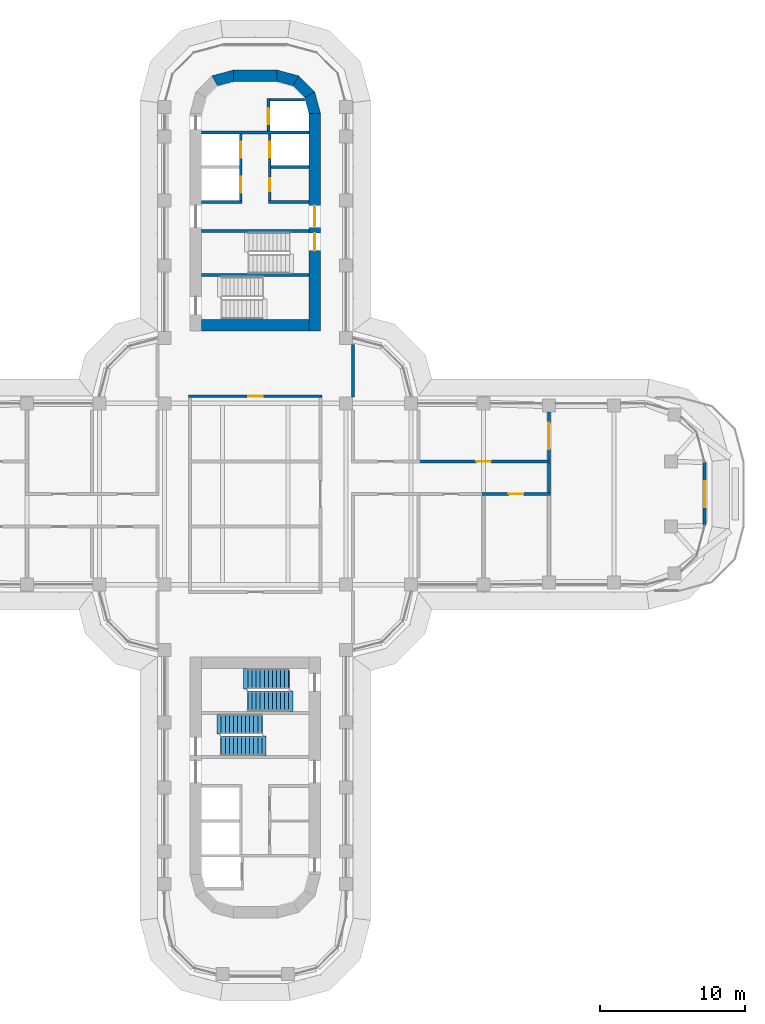
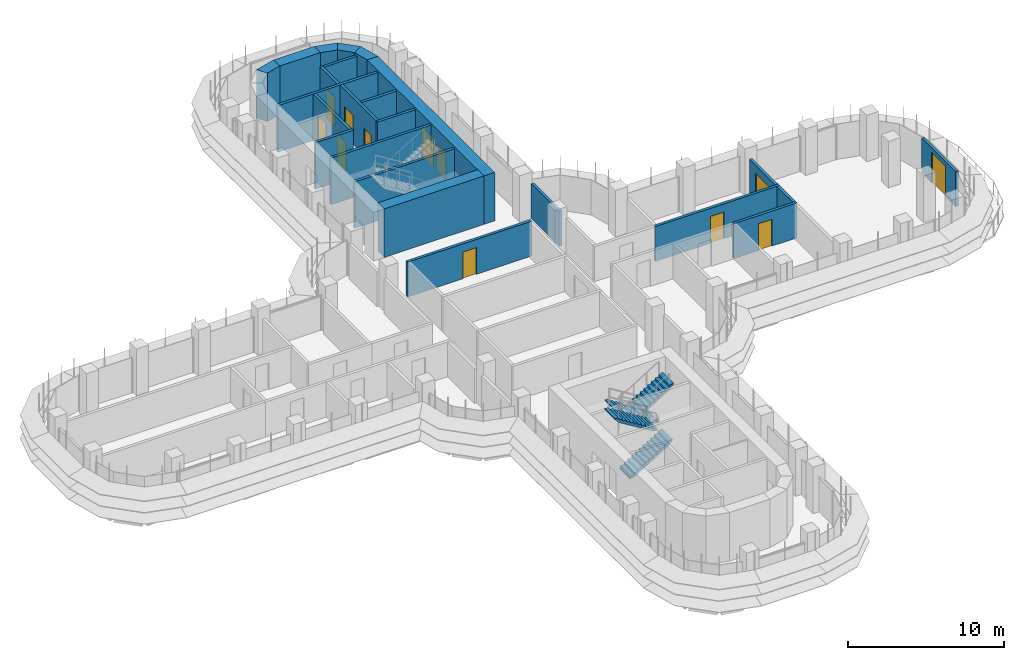
# One storey, part 17 of 22: 24 walls, 12 doors, 4 stair flights, 12 openings, 2 elements without a shape of their own.
"""IFC4 building model written with IfcOpenShell, lengths in metres."""

from ifc_helpers import new_model, si_unit, direction, frame, frame_2d, origin, place, context, subcontext, project, spatial, polyline, rectangle, outline, extrude, material, layer, layer_set, type_object, element, fill, aggregate, save


model = new_model("IFC4")

# Units and contexts
model_context = context("Model", 3, precision=1e-05, world=origin(), true_north=direction((0.0, 1.0)))
body_context = subcontext(model_context, "Body", "Model", "MODEL_VIEW")
ifc_project = project(units=[si_unit("LENGTHUNIT", "METRE"), si_unit("AREAUNIT", "SQUARE_METRE"), si_unit("VOLUMEUNIT", "CUBIC_METRE"), si_unit("PLANEANGLEUNIT", "RADIAN"), si_unit("MASSUNIT", "GRAM", prefix="KILO")], contexts=[model_context])

# Site, building, storey
site_placement = place(None, origin())
site = spatial("IfcSite", under=ifc_project, at=site_placement, CompositionType="ELEMENT")
building_placement = place(site_placement, origin())
building = spatial("IfcBuilding", under=site, at=building_placement, Name="Zarbagh Exchange Tower", CompositionType="ELEMENT")
storey_placement = place(building_placement, frame((0.0, 0.0, 124.60009765625)))
storey = spatial("IfcBuildingStorey", under=building, at=storey_placement, Name="L29", CompositionType="ELEMENT", Elevation=124.60009765625)

# Wall
ifc_material_1 = material(Name="Fire-rated plasterboard partition")
ifc_layer_1 = layer(ifc_material_1, 0.199951171875)
ifc_layer_set_1 = layer_set([ifc_layer_1], Name="RATED PARTITION 200")
wall_type_1 = type_object("IfcWallType", Name="RATED PARTITION 200", PredefinedType="PARTITIONING", material=ifc_layer_set_1)
wall_1_placement = place(storey_placement, frame((6.75, 6.699951171875, 0.0), z_axis=(0.0, 0.0, 1.0), x_axis=(0.0, 1.0, 0.0)))
element("IfcWall", 1, at=wall_1_placement, inside=storey, type_object=wall_type_1, Name="Partition W-1112", PredefinedType="PARTITIONING", context=body_context, shape_type="SweptSolid", body=[
    extrude(rectangle(XDim=3.60009765625, YDim=0.199951171875, at=frame_2d((1.800048828125, 0.0))), origin(), (0.0, 0.0, 1.0), 2.738037109375),
])

# Wall, opening, door
wall_2_placement = place(storey_placement, frame((4.60009765625, 6.75, 0.0), z_axis=(0.0, 0.0, 1.0), x_axis=(-1.0, 0.0, 0.0)))
wall_2 = element("IfcWall", 2, at=wall_2_placement, inside=storey, type_object=wall_type_1, Name="Partition W-1115", PredefinedType="PARTITIONING", context=body_context, shape_type="SweptSolid", body=[
    extrude(rectangle(XDim=9.2001953125, YDim=0.199951171875, at=frame_2d((4.60009765625, 0.0))), origin(), (0.0, 0.0, 1.0), 2.738037109375),
])
opening_1_placement = place(wall_2_placement, frame((4.10009765625, 0.0, 0.0)))
opening_1 = element("IfcOpeningElement", 3, at=opening_1_placement, cuts=wall_2, Name="Opening D-1102", PredefinedType="OPENING", context=body_context, shape_type="SweptSolid", body=[
    extrude(rectangle(XDim=1.0, YDim=2.10009765625, at=frame_2d((0.5, 1.050048828125))), frame((0.0, 0.10986328125, 0.0), z_axis=(0.0, -1.0, 0.0), x_axis=(1.0, 0.0, 0.0)), (0.0, 0.0, 1.0), 0.219970703125),
])
ifc_material_2 = material(Name="Steel door set", Category="steel")
door_type_1 = type_object("IfcDoorType", Name="FIRE DOOR 1000 X 2100 FD30S", OperationType="NOTDEFINED", PredefinedType="DOOR", material=ifc_material_2)
door_1_placement = place(opening_1_placement, origin())
door_1 = element("IfcDoor", 4, at=door_1_placement, inside=storey, type_object=door_type_1, Name="Door D-1102", OperationType="SINGLE_SWING_RIGHT", OverallHeight=2.10009765625, OverallWidth=1.0, PredefinedType="DOOR", context=body_context, shape_type="SweptSolid", body=[
    extrude(rectangle(XDim=1.0, YDim=2.10009765625, at=frame_2d((0.5, 1.050048828125))), frame((0.0, 0.02490234375, 0.0), z_axis=(0.0, -1.0, 0.0), x_axis=(1.0, 0.0, 0.0)), (0.0, 0.0, 1.0), 0.050048828125),
])
fill(opening_1, door_1)

wall_3_placement = place(storey_placement, frame((11.14990234375, 2.25, 0.0), z_axis=(0.0, 0.0, 1.0), x_axis=(1.0, 0.0, 0.0)))
wall_3 = element("IfcWall", 5, at=wall_3_placement, inside=storey, type_object=wall_type_1, Name="Partition W-1121", PredefinedType="PARTITIONING", context=body_context, shape_type="SweptSolid", body=[
    extrude(rectangle(XDim=9.2001953125, YDim=0.199951171875, at=frame_2d((4.60009765625, 0.0))), origin(), (0.0, 0.0, 1.0), 2.738037109375),
])
opening_2_placement = place(wall_3_placement, frame((4.10009765625, 0.0, 0.0)))
opening_2 = element("IfcOpeningElement", 6, at=opening_2_placement, cuts=wall_3, Name="Opening D-1106", PredefinedType="OPENING", context=body_context, shape_type="SweptSolid", body=[
    extrude(rectangle(XDim=1.0, YDim=2.10009765625, at=frame_2d((0.5, 1.050048828125))), frame((0.0, 0.10986328125, 0.0), z_axis=(0.0, -1.0, 0.0), x_axis=(1.0, 0.0, 0.0)), (0.0, 0.0, 1.0), 0.219970703125),
])
door_2_placement = place(opening_2_placement, origin())
door_2 = element("IfcDoor", 7, at=door_2_placement, inside=storey, type_object=door_type_1, Name="Door D-1106", OperationType="SINGLE_SWING_LEFT", OverallHeight=2.10009765625, OverallWidth=1.0, PredefinedType="DOOR", context=body_context, shape_type="SweptSolid", body=[
    extrude(rectangle(XDim=1.0, YDim=2.10009765625, at=frame_2d((0.5, 1.050048828125))), frame((0.0, 0.02490234375, 0.0), z_axis=(0.0, -1.0, 0.0), x_axis=(1.0, 0.0, 0.0)), (0.0, 0.0, 1.0), 0.050048828125),
])
fill(opening_2, door_2)

wall_4_placement = place(storey_placement, frame((20.35009765625, 0.0, 0.0), z_axis=(0.0, 0.0, 1.0), x_axis=(-1.0, 0.0, 0.0)))
wall_4 = element("IfcWall", 8, at=wall_4_placement, inside=storey, type_object=wall_type_1, Name="Partition W-1123", PredefinedType="PARTITIONING", context=body_context, shape_type="SweptSolid", body=[
    extrude(rectangle(XDim=4.7001953125, YDim=0.199951171875, at=frame_2d((2.35009765625, 0.0))), origin(), (0.0, 0.0, 1.0), 2.738037109375),
])
opening_3_placement = place(wall_4_placement, frame((1.85009765625, 0.0, 0.0)))
opening_3 = element("IfcOpeningElement", 9, at=opening_3_placement, cuts=wall_4, Name="Opening D-1109", PredefinedType="OPENING", context=body_context, shape_type="SweptSolid", body=[
    extrude(rectangle(XDim=1.0, YDim=2.10009765625, at=frame_2d((0.5, 1.050048828125))), frame((0.0, 0.10986328125, 0.0), z_axis=(0.0, -1.0, 0.0), x_axis=(1.0, 0.0, 0.0)), (0.0, 0.0, 1.0), 0.219970703125),
])
door_3_placement = place(opening_3_placement, origin())
door_3 = element("IfcDoor", 10, at=door_3_placement, inside=storey, type_object=door_type_1, Name="Door D-1109", OperationType="SINGLE_SWING_RIGHT", OverallHeight=2.10009765625, OverallWidth=1.0, PredefinedType="DOOR", context=body_context, shape_type="SweptSolid", body=[
    extrude(rectangle(XDim=1.0, YDim=2.10009765625, at=frame_2d((0.5, 1.050048828125))), frame((0.0, 0.02490234375, 0.0), z_axis=(0.0, -1.0, 0.0), x_axis=(1.0, 0.0, 0.0)), (0.0, 0.0, 1.0), 0.050048828125),
])
fill(opening_3, door_3)

# Wall
wall_5_placement = place(storey_placement, frame((20.25, 0.10009765625, 0.0), z_axis=(0.0, 0.0, 1.0), x_axis=(0.0, 1.0, 0.0)))
element("IfcWall", 11, at=wall_5_placement, inside=storey, type_object=wall_type_1, Name="Partition W-1124", PredefinedType="PARTITIONING", context=body_context, shape_type="SweptSolid", body=[
    extrude(rectangle(XDim=2.0498046875, YDim=0.199951171875, at=frame_2d((1.02490234375, 0.0))), origin(), (0.0, 0.0, 1.0), 2.738037109375),
])

# Wall, opening, door
wall_6_placement = place(storey_placement, frame((20.25, 5.659912109375, 0.0), z_axis=(0.0, 0.0, 1.0), x_axis=(0.0, -1.0, 0.0)))
wall_6 = element("IfcWall", 12, at=wall_6_placement, inside=storey, type_object=wall_type_1, Name="Partition W-1127", PredefinedType="PARTITIONING", context=body_context, shape_type="SweptSolid", body=[
    extrude(rectangle(XDim=3.309814453125, YDim=0.199951171875, at=frame_2d((1.65478515625, 0.0))), origin(), (0.0, 0.0, 1.0), 2.738037109375),
])
opening_4_placement = place(wall_6_placement, frame((0.7548828125, 0.0, 0.0)))
opening_4 = element("IfcOpeningElement", 13, at=opening_4_placement, cuts=wall_6, Name="Opening D-1104", PredefinedType="OPENING", context=body_context, shape_type="SweptSolid", body=[
    extrude(rectangle(XDim=1.800048828125, YDim=2.10009765625, at=frame_2d((0.89990234375, 1.050048828125))), frame((0.0, 0.10986328125, 0.0), z_axis=(0.0, -1.0, 0.0), x_axis=(1.0, 0.0, 0.0)), (0.0, 0.0, 1.0), 0.219970703125),
])
door_type_2 = type_object("IfcDoorType", Name="FIRE DOUBLE DOOR 1800 X 2100 FD30S", OperationType="DOUBLE_DOOR_SINGLE_SWING", PredefinedType="DOOR", material=ifc_material_2)
door_4_placement = place(opening_4_placement, origin())
door_4 = element("IfcDoor", 14, at=door_4_placement, inside=storey, type_object=door_type_2, Name="Door D-1104", OperationType="DOUBLE_DOOR_SINGLE_SWING", OverallHeight=2.10009765625, OverallWidth=1.800048828125, PredefinedType="DOOR", context=body_context, shape_type="SweptSolid", body=[
    extrude(rectangle(XDim=1.800048828125, YDim=2.10009765625, at=frame_2d((0.89990234375, 1.050048828125))), frame((0.0, 0.02490234375, 0.0), z_axis=(0.0, -1.0, 0.0), x_axis=(1.0, 0.0, 0.0)), (0.0, 0.0, 1.0), 0.050048828125),
])
fill(opening_4, door_4)

# Walls
ifc_material_3 = material(Name="Concrete C60/75", Category="concrete")
ifc_layer_2 = layer(ifc_material_3, 0.800048828125)
ifc_layer_set_2 = layer_set([ifc_layer_2], Name="RC core corner wall 800 C60/75")
wall_type_2 = type_object("IfcWallType", Name="RC core corner wall 800 C60/75", PredefinedType="SHEAR", material=ifc_layer_set_2)
wall_7_placement = place(storey_placement, origin())
element("IfcWall", 15, at=wall_7_placement, inside=storey, type_object=wall_type_2, Name="CW4 core N corner W", PredefinedType="SHEAR", context=body_context, shape_type="SweptSolid", body=[
    extrude(outline(polyline([(-3.0, 28.84814453125), (-1.5, 29.25), (-1.5, 28.449951171875), (-2.60009765625, 28.1552734375), (-3.0, 28.84814453125)])), origin(), (0.0, 0.0, 1.0), 3.7998046875),
])
wall_8_placement = place(storey_placement, origin())
element("IfcWall", 16, at=wall_8_placement, inside=storey, type_object=wall_type_2, Name="CW4 core N corner E", PredefinedType="SHEAR", context=body_context, shape_type="SweptSolid", body=[
    extrude(outline(polyline([(4.5, 26.25), (4.09814453125, 27.75), (3.4052734375, 27.35009765625), (3.699951171875, 26.25), (4.5, 26.25)])), origin(), (0.0, 0.0, 1.0), 3.7998046875),
])
wall_9_placement = place(storey_placement, origin())
element("IfcWall", 17, at=wall_9_placement, inside=storey, type_object=wall_type_2, Name="CW4 core N corner E", PredefinedType="SHEAR", context=body_context, shape_type="SweptSolid", body=[
    extrude(outline(polyline([(4.09814453125, 27.75), (3.0, 28.84814453125), (2.60009765625, 28.1552734375), (3.4052734375, 27.35009765625), (4.09814453125, 27.75)])), origin(), (0.0, 0.0, 1.0), 3.7998046875),
])
wall_10_placement = place(storey_placement, origin())
element("IfcWall", 18, at=wall_10_placement, inside=storey, type_object=wall_type_2, Name="CW4 core N corner E", PredefinedType="SHEAR", context=body_context, shape_type="SweptSolid", body=[
    extrude(outline(polyline([(3.0, 28.84814453125), (1.5, 29.25), (1.5, 28.449951171875), (2.60009765625, 28.1552734375), (3.0, 28.84814453125)])), origin(), (0.0, 0.0, 1.0), 3.7998046875),
])

# Wall, openings, doors
ifc_layer_3 = layer(ifc_material_3, 0.800048828125)
ifc_layer_set_3 = layer_set([ifc_layer_3], Name="RC core wall 800 C60/75")
wall_type_3 = type_object("IfcWallType", Name="RC core wall 800 C60/75", PredefinedType="SHEAR", material=ifc_layer_set_3)
wall_11_placement = place(storey_placement, frame((4.10009765625, 11.25, 0.0), z_axis=(0.0, 0.0, 1.0), x_axis=(0.0, 1.0, 0.0)))
wall_11 = element("IfcWall", 19, at=wall_11_placement, inside=storey, type_object=wall_type_3, Name="CW3 core N E", PredefinedType="SHEAR", context=body_context, shape_type="SweptSolid", body=[
    extrude(rectangle(XDim=15.0, YDim=0.800048828125, at=frame_2d((7.5, 0.0))), origin(), (0.0, 0.0, 1.0), 3.7998046875),
])
opening_5_placement = place(wall_11_placement, frame((7.14990234375, 0.0, 0.0)))
opening_5 = element("IfcOpeningElement", 20, at=opening_5_placement, cuts=wall_11, Name="Opening CD1-1500", PredefinedType="OPENING", context=body_context, shape_type="SweptSolid", body=[
    extrude(rectangle(XDim=1.5, YDim=2.300048828125, at=frame_2d((0.75, 1.14990234375))), frame((0.0, 0.409912109375, 0.0), z_axis=(0.0, -1.0, 0.0), x_axis=(1.0, 0.0, 0.0)), (0.0, 0.0, 1.0), 0.820068359375),
])
opening_6_placement = place(wall_11_placement, frame((5.550048828125, 0.0, 0.0)))
opening_6 = element("IfcOpeningElement", 21, at=opening_6_placement, cuts=wall_11, Name="Opening SD1-1200", PredefinedType="OPENING", context=body_context, shape_type="SweptSolid", body=[
    extrude(rectangle(XDim=1.199951171875, YDim=2.10009765625, at=frame_2d((0.60009765625, 1.050048828125))), frame((0.0, 0.409912109375, 0.0), z_axis=(0.0, -1.0, 0.0), x_axis=(1.0, 0.0, 0.0)), (0.0, 0.0, 1.0), 0.820068359375),
])
ifc_material_4 = material(Name="Steel", Category="steel")
door_type_3 = type_object("IfcDoorType", Name="Exit stair door 1200 x 2100", OperationType="NOTDEFINED", PredefinedType="DOOR", material=ifc_material_4)
door_5_placement = place(opening_6_placement, origin())
door_5 = element("IfcDoor", 22, at=door_5_placement, inside=storey, type_object=door_type_3, Name="North core stair door ST1", OperationType="SINGLE_SWING_RIGHT", OverallHeight=2.10009765625, OverallWidth=1.199951171875, PredefinedType="DOOR", context=body_context, shape_type="SweptSolid", body=[
    extrude(rectangle(XDim=1.199951171875, YDim=2.10009765625, at=frame_2d((0.60009765625, 1.050048828125))), frame((0.0, 0.02490234375, 0.0), z_axis=(0.0, -1.0, 0.0), x_axis=(1.0, 0.0, 0.0)), (0.0, 0.0, 1.0), 0.050048828125),
])
fill(opening_6, door_5)
door_type_4 = type_object("IfcDoorType", Name="Lift lobby double door 1500 x 2300", OperationType="NOTDEFINED", PredefinedType="DOOR", material=ifc_material_4)
door_6_placement = place(opening_5_placement, origin())
door_6 = element("IfcDoor", 23, at=door_6_placement, inside=storey, type_object=door_type_4, Name="North core lift lobby door LOBBY-E", OperationType="DOUBLE_DOOR_SINGLE_SWING", OverallHeight=2.300048828125, OverallWidth=1.5, PredefinedType="DOOR", context=body_context, shape_type="SweptSolid", body=[
    extrude(rectangle(XDim=1.5, YDim=2.300048828125, at=frame_2d((0.75, 1.14990234375))), frame((0.0, 0.02490234375, 0.0), z_axis=(0.0, -1.0, 0.0), x_axis=(1.0, 0.0, 0.0)), (0.0, 0.0, 1.0), 0.050048828125),
])
fill(opening_5, door_6)

# Walls
wall_12_placement = place(storey_placement, frame((-3.699951171875, 11.64990234375, 0.0), z_axis=(0.0, 0.0, 1.0), x_axis=(1.0, 0.0, 0.0)))
element("IfcWall", 24, at=wall_12_placement, inside=storey, type_object=wall_type_3, Name="CW3 core N inner end", PredefinedType="SHEAR", context=body_context, shape_type="SweptSolid", body=[
    extrude(rectangle(XDim=7.39990234375, YDim=0.800048828125, at=frame_2d((3.699951171875, 0.0))), origin(), (0.0, 0.0, 1.0), 3.7998046875),
])
wall_13_placement = place(storey_placement, frame((-1.5, 28.85009765625, 0.0), z_axis=(0.0, 0.0, 1.0), x_axis=(1.0, 0.0, 0.0)))
element("IfcWall", 25, at=wall_13_placement, inside=storey, type_object=wall_type_3, Name="CW3 core N outer end", PredefinedType="SHEAR", context=body_context, shape_type="SweptSolid", body=[
    extrude(rectangle(XDim=3.0, YDim=0.800048828125, at=frame_2d((1.5, 0.0))), origin(), (0.0, 0.0, 1.0), 3.7998046875),
])
ifc_material_5 = material(Name="Dense blockwork", Category="masonry")
ifc_layer_4 = layer(ifc_material_5, 0.199951171875)
ifc_layer_set_4 = layer_set([ifc_layer_4], Name="Shaft wall 200 mm blockwork")
wall_type_4 = type_object("IfcWallType", Name="Shaft wall 200 mm blockwork", PredefinedType="PARTITIONING", material=ifc_layer_set_4)
wall_14_placement = place(storey_placement, frame((-3.699951171875, 20.14990234375, 0.0), z_axis=(0.0, 0.0, 1.0), x_axis=(1.0, 0.0, 0.0)))
element("IfcWall", 26, at=wall_14_placement, inside=storey, type_object=wall_type_4, Name="North core shaft wall AB-W", PredefinedType="PARTITIONING", context=body_context, shape_type="SweptSolid", body=[
    extrude(rectangle(XDim=2.800048828125, YDim=0.199951171875, at=frame_2d((1.39990234375, 0.0))), origin(), (0.0, 0.0, 1.0), 3.64990234375),
])

# Wall, openings, doors
wall_15_placement = place(storey_placement, frame((-1.0, 24.85009765625, 0.0), z_axis=(0.0, 0.0, 1.0), x_axis=(0.0, -1.0, 0.0)))
wall_15 = element("IfcWall", 27, at=wall_15_placement, inside=storey, type_object=wall_type_4, Name="North core shaft wall LW-W", PredefinedType="PARTITIONING", context=body_context, shape_type="SweptSolid", body=[
    extrude(rectangle(XDim=4.60009765625, YDim=0.199951171875, at=frame_2d((2.300048828125, 0.0))), origin(), (0.0, 0.0, 1.0), 3.64990234375),
])
opening_7_placement = place(wall_15_placement, frame((0.550048828125, 0.0, 0.0)))
opening_7 = element("IfcOpeningElement", 28, at=opening_7_placement, cuts=wall_15, Name="Opening LD-1100", PredefinedType="OPENING", context=body_context, shape_type="SweptSolid", body=[
    extrude(rectangle(XDim=1.10009765625, YDim=2.300048828125, at=frame_2d((0.550048828125, 1.14990234375))), frame((0.0, 0.10986328125, 0.0), z_axis=(0.0, -1.0, 0.0), x_axis=(1.0, 0.0, 0.0)), (0.0, 0.0, 1.0), 0.219970703125),
])
opening_8_placement = place(wall_15_placement, frame((2.949951171875, 0.0, 0.0)))
opening_8 = element("IfcOpeningElement", 29, at=opening_8_placement, cuts=wall_15, Name="Opening LD-1100", PredefinedType="OPENING", context=body_context, shape_type="SweptSolid", body=[
    extrude(rectangle(XDim=1.10009765625, YDim=2.300048828125, at=frame_2d((0.550048828125, 1.14990234375))), frame((0.0, 0.10986328125, 0.0), z_axis=(0.0, -1.0, 0.0), x_axis=(1.0, 0.0, 0.0)), (0.0, 0.0, 1.0), 0.219970703125),
])
ifc_material_6 = material(Name="Stainless steel", Category="steel")
door_type_5 = type_object("IfcDoorType", Name="Lift landing door 1100 x 2300", OperationType="NOTDEFINED", PredefinedType="DOOR", material=ifc_material_6)
door_7_placement = place(opening_7_placement, origin())
door_7 = element("IfcDoor", 30, at=door_7_placement, inside=storey, type_object=door_type_5, Name="North core lift landing door LD-P-N1", OperationType="DOUBLE_DOOR_SLIDING", OverallHeight=2.300048828125, OverallWidth=1.10009765625, PredefinedType="DOOR", context=body_context, shape_type="SweptSolid", body=[
    extrude(rectangle(XDim=1.10009765625, YDim=2.300048828125, at=frame_2d((0.550048828125, 1.14990234375))), frame((0.0, 0.02490234375, 0.0), z_axis=(0.0, -1.0, 0.0), x_axis=(1.0, 0.0, 0.0)), (0.0, 0.0, 1.0), 0.050048828125),
])
fill(opening_7, door_7)
door_8_placement = place(opening_8_placement, origin())
door_8 = element("IfcDoor", 31, at=door_8_placement, inside=storey, type_object=door_type_5, Name="North core lift landing door LD-P-N2", OperationType="DOUBLE_DOOR_SLIDING", OverallHeight=2.300048828125, OverallWidth=1.10009765625, PredefinedType="DOOR", context=body_context, shape_type="SweptSolid", body=[
    extrude(rectangle(XDim=1.10009765625, YDim=2.300048828125, at=frame_2d((0.550048828125, 1.14990234375))), frame((0.0, 0.02490234375, 0.0), z_axis=(0.0, -1.0, 0.0), x_axis=(1.0, 0.0, 0.0)), (0.0, 0.0, 1.0), 0.050048828125),
])
fill(opening_8, door_8)

# Wall
wall_16_placement = place(storey_placement, frame((0.89990234375, 20.14990234375, 0.0), z_axis=(0.0, 0.0, 1.0), x_axis=(1.0, 0.0, 0.0)))
element("IfcWall", 32, at=wall_16_placement, inside=storey, type_object=wall_type_4, Name="North core shaft wall AB-E", PredefinedType="PARTITIONING", context=body_context, shape_type="SweptSolid", body=[
    extrude(rectangle(XDim=2.800048828125, YDim=0.199951171875, at=frame_2d((1.39990234375, 0.0))), origin(), (0.0, 0.0, 1.0), 3.64990234375),
])

# Wall, openings, doors
wall_17_placement = place(storey_placement, frame((1.0, 24.85009765625, 0.0), z_axis=(0.0, 0.0, 1.0), x_axis=(0.0, -1.0, 0.0)))
wall_17 = element("IfcWall", 33, at=wall_17_placement, inside=storey, type_object=wall_type_4, Name="North core shaft wall LW-E", PredefinedType="PARTITIONING", context=body_context, shape_type="SweptSolid", body=[
    extrude(rectangle(XDim=4.60009765625, YDim=0.199951171875, at=frame_2d((2.300048828125, 0.0))), origin(), (0.0, 0.0, 1.0), 3.64990234375),
])
opening_9_placement = place(wall_17_placement, frame((0.550048828125, 0.0, 0.0)))
opening_9 = element("IfcOpeningElement", 34, at=opening_9_placement, cuts=wall_17, Name="Opening LD-1100", PredefinedType="OPENING", context=body_context, shape_type="SweptSolid", body=[
    extrude(rectangle(XDim=1.10009765625, YDim=2.300048828125, at=frame_2d((0.550048828125, 1.14990234375))), frame((0.0, 0.10986328125, 0.0), z_axis=(0.0, -1.0, 0.0), x_axis=(1.0, 0.0, 0.0)), (0.0, 0.0, 1.0), 0.219970703125),
])
opening_10_placement = place(wall_17_placement, frame((3.050048828125, 0.0, 0.0)))
opening_10 = element("IfcOpeningElement", 35, at=opening_10_placement, cuts=wall_17, Name="Opening CD3-900", PredefinedType="OPENING", context=body_context, shape_type="SweptSolid", body=[
    extrude(rectangle(XDim=0.89990234375, YDim=2.10009765625, at=frame_2d((0.449951171875, 1.050048828125))), frame((0.0, 0.10986328125, 0.0), z_axis=(0.0, -1.0, 0.0), x_axis=(1.0, 0.0, 0.0)), (0.0, 0.0, 1.0), 0.219970703125),
])
door_type_6 = type_object("IfcDoorType", Name="Core room door 900 x 2100", OperationType="NOTDEFINED", PredefinedType="DOOR", material=ifc_material_4)
door_9_placement = place(opening_10_placement, origin())
door_9 = element("IfcDoor", 36, at=door_9_placement, inside=storey, type_object=door_type_6, Name="North core Accessible WC door RD-E-0", OperationType="SINGLE_SWING_RIGHT", OverallHeight=2.10009765625, OverallWidth=0.89990234375, PredefinedType="DOOR", context=body_context, shape_type="SweptSolid", body=[
    extrude(rectangle(XDim=0.89990234375, YDim=2.10009765625, at=frame_2d((0.449951171875, 1.050048828125))), frame((0.0, 0.02490234375, 0.0), z_axis=(0.0, -1.0, 0.0), x_axis=(1.0, 0.0, 0.0)), (0.0, 0.0, 1.0), 0.050048828125),
])
fill(opening_10, door_9)
door_10_placement = place(opening_9_placement, origin())
door_10 = element("IfcDoor", 37, at=door_10_placement, inside=storey, type_object=door_type_5, Name="North core lift landing door LD-P-N3", OperationType="DOUBLE_DOOR_SLIDING", OverallHeight=2.300048828125, OverallWidth=1.10009765625, PredefinedType="DOOR", context=body_context, shape_type="SweptSolid", body=[
    extrude(rectangle(XDim=1.10009765625, YDim=2.300048828125, at=frame_2d((0.550048828125, 1.14990234375))), frame((0.0, 0.02490234375, 0.0), z_axis=(0.0, -1.0, 0.0), x_axis=(1.0, 0.0, 0.0)), (0.0, 0.0, 1.0), 0.050048828125),
])
fill(opening_9, door_10)

# Walls
wall_18_placement = place(storey_placement, frame((1.10009765625, 22.550048828125, 0.0), z_axis=(0.0, 0.0, 1.0), x_axis=(1.0, 0.0, 0.0)))
element("IfcWall", 38, at=wall_18_placement, inside=storey, type_object=wall_type_4, Name="North core shaft wall TR-E", PredefinedType="PARTITIONING", context=body_context, shape_type="SweptSolid", body=[
    extrude(rectangle(XDim=2.599853515625, YDim=0.199951171875, at=frame_2d((1.2998046875, 0.0))), origin(), (0.0, 0.0, 1.0), 3.64990234375),
])
ifc_material_7 = material(Name="Concrete C40/50", Category="concrete")
ifc_layer_5 = layer(ifc_material_7, 0.199951171875)
ifc_layer_set_5 = layer_set([ifc_layer_5], Name="Stair enclosure wall 200 mm RC C40/50")
wall_type_5 = type_object("IfcWallType", Name="Stair enclosure wall 200 mm RC C40/50", PredefinedType="SHEAR", material=ifc_layer_set_5)
wall_19_placement = place(storey_placement, frame((-3.699951171875, 24.949951171875, 0.0), z_axis=(0.0, 0.0, 1.0), x_axis=(1.0, 0.0, 0.0)))
element("IfcWall", 39, at=wall_19_placement, inside=storey, type_object=wall_type_5, Name="North core lift shaft wall FFA", PredefinedType="SHEAR", context=body_context, shape_type="SweptSolid", body=[
    extrude(rectangle(XDim=7.39990234375, YDim=0.199951171875, at=frame_2d((3.699951171875, 0.0))), origin(), (0.0, 0.0, 1.0), 3.64990234375),
])

# Wall, opening, door
wall_20_placement = place(storey_placement, frame((0.89990234375, 27.300048828125, 0.0), z_axis=(0.0, 0.0, 1.0), x_axis=(0.0, -1.0, 0.0)))
wall_20 = element("IfcWall", 40, at=wall_20_placement, inside=storey, type_object=wall_type_5, Name="North core lift shaft wall FFL", PredefinedType="SHEAR", context=body_context, shape_type="SweptSolid", body=[
    extrude(rectangle(XDim=2.25, YDim=0.199951171875, at=frame_2d((1.125, 0.0))), origin(), (0.0, 0.0, 1.0), 3.64990234375),
])
opening_11_placement = place(wall_20_placement, frame((0.699951171875, 0.0, 0.0)))
opening_11 = element("IfcOpeningElement", 41, at=opening_11_placement, cuts=wall_20, Name="Opening LD-1100", PredefinedType="OPENING", context=body_context, shape_type="SweptSolid", body=[
    extrude(rectangle(XDim=1.10009765625, YDim=2.300048828125, at=frame_2d((0.550048828125, 1.14990234375))), frame((0.0, 0.10986328125, 0.0), z_axis=(0.0, -1.0, 0.0), x_axis=(1.0, 0.0, 0.0)), (0.0, 0.0, 1.0), 0.219970703125),
])
door_11_placement = place(opening_11_placement, origin())
door_11 = element("IfcDoor", 42, at=door_11_placement, inside=storey, type_object=door_type_5, Name="North core lift landing door LD-F", OperationType="DOUBLE_DOOR_SLIDING", OverallHeight=2.300048828125, OverallWidth=1.10009765625, PredefinedType="DOOR", context=body_context, shape_type="SweptSolid", body=[
    extrude(rectangle(XDim=1.10009765625, YDim=2.300048828125, at=frame_2d((0.550048828125, 1.14990234375))), frame((0.0, 0.02490234375, 0.0), z_axis=(0.0, -1.0, 0.0), x_axis=(1.0, 0.0, 0.0)), (0.0, 0.0, 1.0), 0.050048828125),
])
fill(opening_11, door_11)

# Walls
wall_21_placement = place(storey_placement, origin())
element("IfcWall", 43, at=wall_21_placement, inside=storey, type_object=wall_type_5, Name="North core lift shaft wall FFX", PredefinedType="SHEAR", context=body_context, shape_type="SweptSolid", body=[
    extrude(outline(polyline([(1.0, 27.10009765625), (3.444091796875, 27.10009765625), (3.390380859375, 27.300048828125), (1.0, 27.300048828125), (1.0, 27.10009765625)])), origin(), (0.0, 0.0, 1.0), 3.64990234375),
])
for number, where, z_axis, x_axis, name in (
    (44, (-3.699951171875, 18.14990234375, 0.0), (0.0, 0.0, 1.0), (1.0, 0.0, 0.0), "North core stair wall BS"),
    (45, (-3.699951171875, 15.10009765625, 0.0), (0.0, 0.0, 1.0), (1.0, 0.0, 0.0), "North core stair wall ST12"),
):
    element("IfcWall", number, at=place(storey_placement, frame(where, z_axis=z_axis, x_axis=x_axis)), inside=storey, type_object=wall_type_5, Name=name, PredefinedType="SHEAR", context=body_context, shape_type="SweptSolid", body=[
        extrude(rectangle(XDim=7.39990234375, YDim=0.199951171875, at=frame_2d((3.699951171875, 0.0))), origin(), (0.0, 0.0, 1.0), 3.64990234375),
    ])

# Wall, opening, door
ifc_material_8 = material(Name="Precast concrete C50/60", Category="concrete")
ifc_layer_6 = layer(ifc_material_8, 0.199951171875)
ifc_layer_set_6 = layer_set([ifc_layer_6], Name="Terrace door wall, precast concrete C50/60")
wall_type_6 = type_object("IfcWallType", Name="Terrace door wall, precast concrete C50/60", PredefinedType="SOLIDWALL", material=ifc_layer_set_6)
wall_22_placement = place(storey_placement, frame((31.0, -2.18408203125, 0.0), z_axis=(0.0, 0.0, 1.0), x_axis=(0.0, 1.0, 0.0)))
wall_22 = element("IfcWall", 46, at=wall_22_placement, inside=storey, type_object=wall_type_6, Name="TW43 door wall", PredefinedType="SOLIDWALL", context=body_context, shape_type="SweptSolid", body=[
    extrude(rectangle(XDim=4.3681640625, YDim=0.199951171875, at=frame_2d((2.18408203125, 0.0))), origin(), (0.0, 0.0, 1.0), 2.75),
])
opening_12_placement = place(wall_22_placement, frame((1.2841796875, 0.0, 0.0)))
opening_12 = element("IfcOpeningElement", 47, at=opening_12_placement, cuts=wall_22, Name="Opening TD01", PredefinedType="OPENING", context=body_context, shape_type="SweptSolid", body=[
    extrude(rectangle(XDim=1.800048828125, YDim=2.39990234375, at=frame_2d((0.89990234375, 1.199951171875))), frame((0.0, 0.10986328125, 0.0), z_axis=(0.0, -1.0, 0.0), x_axis=(1.0, 0.0, 0.0)), (0.0, 0.0, 1.0), 0.219970703125),
])
ifc_material_9 = material(Name="Anodised aluminium and glass", Category="aluminium")
door_type_7 = type_object("IfcDoorType", Name="Terrace door, double leaf, aluminium and glass", OperationType="DOUBLE_DOOR_DOUBLE_SWING", PredefinedType="DOOR", material=ifc_material_9)
door_12_placement = place(opening_12_placement, origin())
door_12 = element("IfcDoor", 48, at=door_12_placement, inside=storey, type_object=door_type_7, Name="TD01 terrace door", OperationType="SINGLE_SWING_LEFT", OverallHeight=2.39990234375, OverallWidth=1.800048828125, PredefinedType="DOOR", context=body_context, shape_type="SweptSolid", body=[
    extrude(rectangle(XDim=1.800048828125, YDim=2.39990234375, at=frame_2d((0.89990234375, 1.199951171875))), frame((0.0, 0.02490234375, 0.0), z_axis=(0.0, -1.0, 0.0), x_axis=(1.0, 0.0, 0.0)), (0.0, 0.0, 1.0), 0.050048828125),
])
fill(opening_12, door_12)

# Stair, stair flights
stair_type = type_object("IfcStairType", Name="Exit stair two-flight half-turn", PredefinedType="HALF_TURN_STAIR", material=ifc_material_7)
stair_1_placement = place(storey_placement, origin())
stair_1 = element("IfcStair", 49, at=stair_1_placement, inside=storey, type_object=stair_type, Name="exit stair ST3", PredefinedType="HALF_TURN_STAIR")
stair_flight_type_1 = type_object("IfcStairFlightType", Name="Stair flight 1350 mm", PredefinedType="STRAIGHT", material=ifc_material_7)
stair_flight_1_placement = place(storey_placement, frame((-2.35009765625, -17.375, 0.0), z_axis=(0.0, 0.0, 1.0), x_axis=(1.0, 0.0, 0.0)))
stair_flight_1 = element("IfcStairFlight", 50, at=stair_flight_1_placement, type_object=stair_flight_type_1, Name="ST3 flight 1", NumberOfRisers=11, NumberOfTreads=10, PredefinedType="STRAIGHT", RiserHeight=0.172727273, TreadLength=0.28, context=body_context, shape_type="SweptSolid", body=[
    extrude(outline(polyline([(-0.050048828125, -0.050048828125), (-0.050048828125, 0.0), (0.0, 0.0), (0.0, 0.172607421875), (0.280029296875, 0.172607421875), (0.280029296875, 0.345458984375), (0.56005859375, 0.345458984375), (0.56005859375, 0.51806640625), (0.840087890625, 0.51806640625), (0.840087890625, 0.69091796875), (1.1201171875, 0.69091796875), (1.1201171875, 0.863525390625), (1.39990234375, 0.863525390625), (1.39990234375, 1.036376953125), (1.679931640625, 1.036376953125), (1.679931640625, 1.208984375), (1.9599609375, 1.208984375), (1.9599609375, 1.3818359375), (2.239990234375, 1.3818359375), (2.239990234375, 1.554443359375), (2.52001953125, 1.554443359375), (2.52001953125, 1.727294921875), (2.800048828125, 1.727294921875), (2.800048828125, 1.89990234375), (3.10009765625, 1.97998046875), (3.10009765625, 1.89990234375), (2.800048828125, 1.551025390625), (0.285400390625, 0.0), (-0.050048828125, -0.050048828125)])), frame((0.0, 0.675048828125, 0.0), z_axis=(0.0, -1.0, 0.0), x_axis=(1.0, 0.0, 0.0)), (0.0, 0.0, 1.0), 1.35009765625),
])
stair_flight_2_placement = place(storey_placement, frame((0.449951171875, -15.875, 1.89990234375), z_axis=(0.0, 0.0, 1.0), x_axis=(-1.0, 0.0, 0.0)))
stair_flight_2 = element("IfcStairFlight", 51, at=stair_flight_2_placement, type_object=stair_flight_type_1, Name="ST3 flight 2", NumberOfRisers=11, NumberOfTreads=10, PredefinedType="STRAIGHT", RiserHeight=0.172727273, TreadLength=0.28, context=body_context, shape_type="SweptSolid", body=[
    extrude(outline(polyline([(-0.050048828125, -0.050048828125), (-0.050048828125, 0.0), (0.0, 0.0), (0.0, 0.172607421875), (0.280029296875, 0.172607421875), (0.280029296875, 0.345458984375), (0.56005859375, 0.345458984375), (0.56005859375, 0.51806640625), (0.840087890625, 0.51806640625), (0.840087890625, 0.69091796875), (1.1201171875, 0.69091796875), (1.1201171875, 0.863525390625), (1.39990234375, 0.863525390625), (1.39990234375, 1.036376953125), (1.679931640625, 1.036376953125), (1.679931640625, 1.208984375), (1.9599609375, 1.208984375), (1.9599609375, 1.3818359375), (2.239990234375, 1.3818359375), (2.239990234375, 1.554443359375), (2.52001953125, 1.554443359375), (2.52001953125, 1.727294921875), (2.800048828125, 1.727294921875), (2.800048828125, 1.89990234375), (3.10009765625, 1.97998046875), (3.10009765625, 1.89990234375), (2.800048828125, 1.551025390625), (0.285400390625, 0.0), (-0.050048828125, -0.050048828125)])), frame((0.0, 0.675048828125, 0.0), z_axis=(0.0, -1.0, 0.0), x_axis=(1.0, 0.0, 0.0)), (0.0, 0.0, 1.0), 1.35009765625),
])
aggregate(stair_1, [stair_flight_1, stair_flight_2])

stair_2_placement = place(storey_placement, origin())
stair_2 = element("IfcStair", 52, at=stair_2_placement, inside=storey, type_object=stair_type, Name="exit stair ST4", PredefinedType="HALF_TURN_STAIR")
stair_flight_type_2 = type_object("IfcStairFlightType", Name="Stair flight 1400 mm", PredefinedType="STRAIGHT", material=ifc_material_7)
stair_flight_3_placement = place(storey_placement, frame((2.300048828125, -12.75, 0.0), z_axis=(0.0, 0.0, 1.0), x_axis=(-1.0, 0.0, 0.0)))
stair_flight_3 = element("IfcStairFlight", 53, at=stair_flight_3_placement, type_object=stair_flight_type_2, Name="ST4 flight 1", NumberOfRisers=11, NumberOfTreads=10, PredefinedType="STRAIGHT", RiserHeight=0.172727273, TreadLength=0.28, context=body_context, shape_type="SweptSolid", body=[
    extrude(outline(polyline([(-0.050048828125, -0.050048828125), (-0.050048828125, 0.0), (0.0, 0.0), (0.0, 0.172607421875), (0.280029296875, 0.172607421875), (0.280029296875, 0.345458984375), (0.56005859375, 0.345458984375), (0.56005859375, 0.51806640625), (0.840087890625, 0.51806640625), (0.840087890625, 0.69091796875), (1.1201171875, 0.69091796875), (1.1201171875, 0.863525390625), (1.39990234375, 0.863525390625), (1.39990234375, 1.036376953125), (1.679931640625, 1.036376953125), (1.679931640625, 1.208984375), (1.9599609375, 1.208984375), (1.9599609375, 1.3818359375), (2.239990234375, 1.3818359375), (2.239990234375, 1.554443359375), (2.52001953125, 1.554443359375), (2.52001953125, 1.727294921875), (2.800048828125, 1.727294921875), (2.800048828125, 1.89990234375), (3.10009765625, 1.97998046875), (3.10009765625, 1.89990234375), (2.800048828125, 1.551025390625), (0.285400390625, 0.0), (-0.050048828125, -0.050048828125)])), frame((0.0, 0.699951171875, 0.0), z_axis=(0.0, -1.0, 0.0), x_axis=(1.0, 0.0, 0.0)), (0.0, 0.0, 1.0), 1.39990234375),
])
stair_flight_4_placement = place(storey_placement, frame((-0.5, -14.300048828125, 1.89990234375), z_axis=(0.0, 0.0, 1.0), x_axis=(1.0, 0.0, 0.0)))
stair_flight_4 = element("IfcStairFlight", 54, at=stair_flight_4_placement, type_object=stair_flight_type_2, Name="ST4 flight 2", NumberOfRisers=11, NumberOfTreads=10, PredefinedType="STRAIGHT", RiserHeight=0.172727273, TreadLength=0.28, context=body_context, shape_type="SweptSolid", body=[
    extrude(outline(polyline([(-0.050048828125, -0.050048828125), (-0.050048828125, 0.0), (0.0, 0.0), (0.0, 0.172607421875), (0.280029296875, 0.172607421875), (0.280029296875, 0.345458984375), (0.56005859375, 0.345458984375), (0.56005859375, 0.51806640625), (0.840087890625, 0.51806640625), (0.840087890625, 0.69091796875), (1.1201171875, 0.69091796875), (1.1201171875, 0.863525390625), (1.39990234375, 0.863525390625), (1.39990234375, 1.036376953125), (1.679931640625, 1.036376953125), (1.679931640625, 1.208984375), (1.9599609375, 1.208984375), (1.9599609375, 1.3818359375), (2.239990234375, 1.3818359375), (2.239990234375, 1.554443359375), (2.52001953125, 1.554443359375), (2.52001953125, 1.727294921875), (2.800048828125, 1.727294921875), (2.800048828125, 1.89990234375), (3.10009765625, 1.97998046875), (3.10009765625, 1.89990234375), (2.800048828125, 1.551025390625), (0.285400390625, 0.0), (-0.050048828125, -0.050048828125)])), frame((0.0, 0.699951171875, 0.0), z_axis=(0.0, -1.0, 0.0), x_axis=(1.0, 0.0, 0.0)), (0.0, 0.0, 1.0), 1.39990234375),
])
aggregate(stair_2, [stair_flight_3, stair_flight_4])

save(model, "model.ifc")
